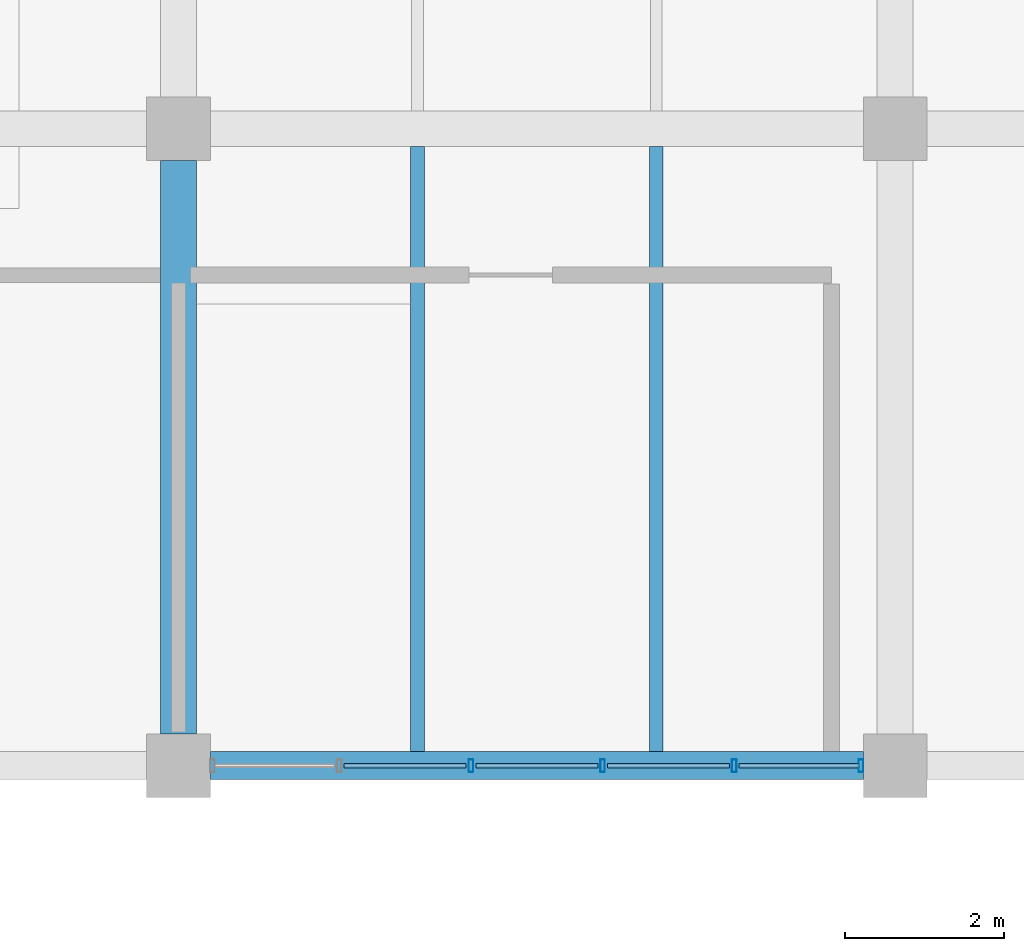
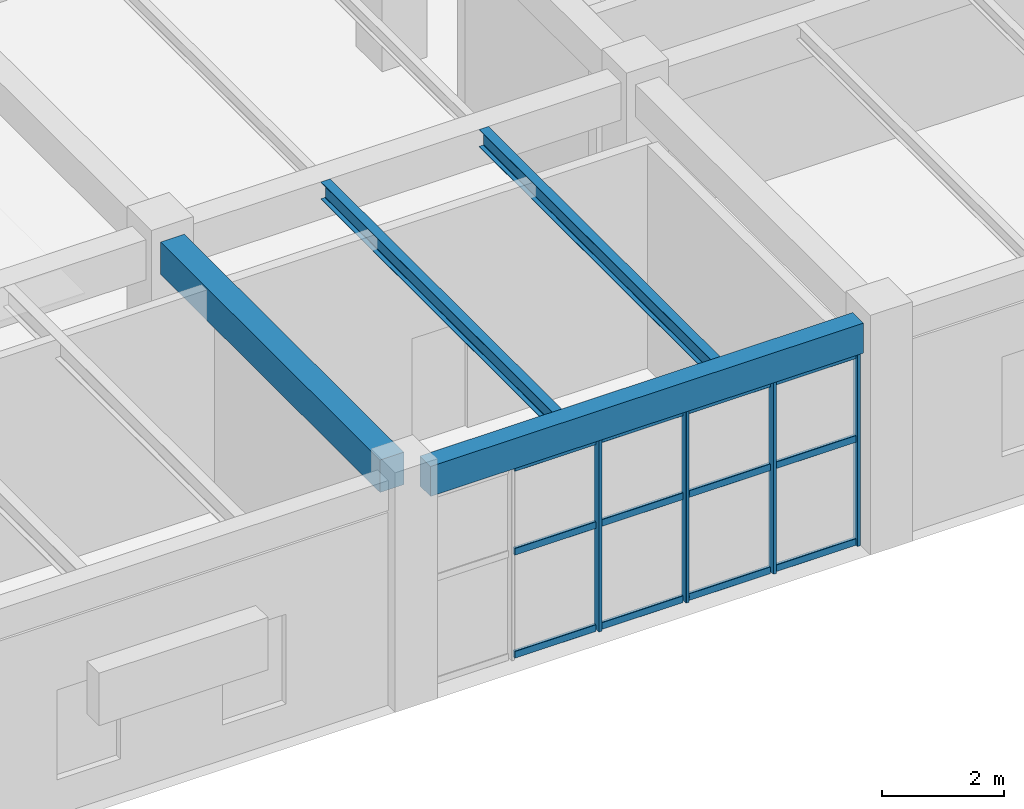
# One storey, part 111 of 178: 16 members, 4 beams, 1 element without a shape of its own.
"""IFC4 building model written with IfcOpenShell, lengths in metres."""

from ifc_helpers import new_model, si_unit, derived_unit, direction, frame, origin, origin_2d, place, context, subcontext, project, spatial, rectangle, hollow_rectangle, i_section, extrude, material, material_profile, profile_set, type_object, element, aggregate, save


model = new_model("IFC4")

# Units and contexts
model_context = context("Model", 3, precision=1e-05, world=origin(), true_north=direction((0.0, 1.0)))
body_context = subcontext(model_context, "Body", "Model", "MODEL_VIEW")
ifc_project = project(units=[si_unit("LENGTHUNIT", "METRE"), si_unit("AREAUNIT", "SQUARE_METRE"), si_unit("VOLUMEUNIT", "CUBIC_METRE"), si_unit("PLANEANGLEUNIT", "RADIAN"), si_unit("MASSUNIT", "GRAM", prefix="KILO"), derived_unit("THERMALTRANSMITTANCEUNIT", [(si_unit("MASSUNIT", "GRAM", prefix="KILO"), 1), (si_unit("TIMEUNIT", "SECOND"), -3), (si_unit("THERMODYNAMICTEMPERATUREUNIT", "KELVIN"), -1)])], contexts=[model_context])

# Site, building, storey
site_placement = place(None, origin())
site = spatial("IfcSite", under=ifc_project, at=site_placement, CompositionType="ELEMENT")
building_placement = place(site_placement, origin())
building = spatial("IfcBuilding", under=site, at=building_placement, Name="Zhenchuan Archway Interchange", CompositionType="ELEMENT")
storey_placement = place(building_placement, frame((0.0, 0.0, 5.39990234375)))
storey = spatial("IfcBuildingStorey", under=building, at=storey_placement, Name="L01", CompositionType="ELEMENT", Elevation=5.39990234375)

# Beam
ifc_material_1 = material(Name="Concrete C40", Category="concrete")
ifc_material_profile_1 = material_profile(ifc_material_1, rectangle(XDim=0.449951171875, YDim=0.64990234375, at=origin_2d()), Name="RC 450x650")
ifc_profile_set_1 = profile_set([ifc_material_profile_1], Name="Concrete C40")
beam_type_1 = type_object("IfcBeamType", Name="BM_RC_450x650", PredefinedType="BEAM", material=ifc_profile_set_1)
beam_1_placement = place(storey_placement, frame((144.0, 8.39990234375, 4.18505859375), z_axis=(0.0, 1.0, 0.0), x_axis=(-1.0, 0.0, 0.0)))
element("IfcBeam", 1, at=beam_1_placement, inside=storey, type_object=beam_type_1, Name="Beam 17:B-C (L01)", PredefinedType="BEAM", context=body_context, shape_type="SweptSolid", body=[
    extrude(rectangle(XDim=0.449951171875, YDim=0.64990234375, at=origin_2d()), origin(), (0.0, 0.0, 1.0), 7.2001953125),
])

# Curtain wall, members
ifc_material_2 = material(Name="Anodised Aluminium", Category="aluminium")
curtain_wall_type = type_object("IfcCurtainWallType", Name="CW_UNIT_3", PredefinedType="NOTDEFINED", material=ifc_material_2)
curtain_wall_placement = place(storey_placement, origin())
curtain_wall = element("IfcCurtainWall", 2, at=curtain_wall_placement, inside=storey, type_object=curtain_wall_type, Name="Unitised curtain wall CW:L01:070", PredefinedType="NOTDEFINED")
ifc_material_profile_2 = material_profile(ifc_material_2, hollow_rectangle(XDim=0.06005859375, YDim=0.159912109375, WallThickness=0.00390625, InnerFilletRadius=0.00390625, OuterFilletRadius=0.008056640625, at=origin_2d()), Name="ALU 160x60x4")
ifc_profile_set_2 = profile_set([ifc_material_profile_2], Name="Anodised Aluminium")
member_type_1 = type_object("IfcMemberType", Name="CW_MUL_150", PredefinedType="MULLION", material=ifc_profile_set_2)
member_1_placement = place(storey_placement, frame((152.572021484375, 8.0, 0.0), z_axis=(0.0, 0.0, 1.0), x_axis=(1.0, 0.0, 0.0)))
member_1 = element("IfcMember", 3, at=member_1_placement, type_object=member_type_1, Name="CW:L01:070 mullion 0", PredefinedType="MULLION", context=body_context, shape_type="SweptSolid", body=[
    extrude(hollow_rectangle(XDim=0.06005859375, YDim=0.159912109375, WallThickness=0.00390625, InnerFilletRadius=0.00390625, OuterFilletRadius=0.008056640625, at=origin_2d()), origin(), (0.0, 0.0, 1.0), 3.880126953125),
])
member_2_placement = place(storey_placement, frame((150.979248046875, 8.0, 0.0), z_axis=(0.0, 0.0, 1.0), x_axis=(1.0, 0.0, 0.0)))
member_2 = element("IfcMember", 4, at=member_2_placement, type_object=member_type_1, Name="CW:L01:070 mullion 1", PredefinedType="MULLION", context=body_context, shape_type="SweptSolid", body=[
    extrude(hollow_rectangle(XDim=0.06005859375, YDim=0.159912109375, WallThickness=0.00390625, InnerFilletRadius=0.00390625, OuterFilletRadius=0.008056640625, at=origin_2d()), origin(), (0.0, 0.0, 1.0), 3.880126953125),
])
member_3_placement = place(storey_placement, frame((149.326416015625, 8.0, 0.0), z_axis=(0.0, 0.0, 1.0), x_axis=(1.0, 0.0, 0.0)))
member_3 = element("IfcMember", 5, at=member_3_placement, type_object=member_type_1, Name="CW:L01:070 mullion 2", PredefinedType="MULLION", context=body_context, shape_type="SweptSolid", body=[
    extrude(hollow_rectangle(XDim=0.06005859375, YDim=0.159912109375, WallThickness=0.00390625, InnerFilletRadius=0.00390625, OuterFilletRadius=0.008056640625, at=origin_2d()), origin(), (0.0, 0.0, 1.0), 3.880126953125),
])
member_4_placement = place(storey_placement, frame((147.673583984375, 8.0, 0.0), z_axis=(0.0, 0.0, 1.0), x_axis=(1.0, 0.0, 0.0)))
member_4 = element("IfcMember", 6, at=member_4_placement, type_object=member_type_1, Name="CW:L01:070 mullion 3", PredefinedType="MULLION", context=body_context, shape_type="SweptSolid", body=[
    extrude(hollow_rectangle(XDim=0.06005859375, YDim=0.159912109375, WallThickness=0.00390625, InnerFilletRadius=0.00390625, OuterFilletRadius=0.008056640625, at=origin_2d()), origin(), (0.0, 0.0, 1.0), 3.880126953125),
])
ifc_material_profile_3 = material_profile(ifc_material_2, hollow_rectangle(XDim=0.06005859375, YDim=0.139892578125, WallThickness=0.00341796875, InnerFilletRadius=0.00341796875, OuterFilletRadius=0.007080078125, at=origin_2d()), Name="ALU 140x60x3.5")
ifc_profile_set_3 = profile_set([ifc_material_profile_3], Name="Anodised Aluminium")
member_type_2 = type_object("IfcMemberType", Name="CW_TRN_140", PredefinedType="USERDEFINED", material=ifc_profile_set_3)
member_5_placement = place(storey_placement, frame((152.552001953125, 8.0, 0.06005859375), z_axis=(-1.0, 0.0, 0.0), x_axis=(0.0, -1.0, 0.0)))
member_5 = element("IfcMember", 7, at=member_5_placement, type_object=member_type_2, Name="CW:L01:070 transom 0-1", ObjectType="TRANSOM", PredefinedType="USERDEFINED", context=body_context, shape_type="SweptSolid", body=[
    extrude(hollow_rectangle(XDim=0.06005859375, YDim=0.139892578125, WallThickness=0.00341796875, InnerFilletRadius=0.00341796875, OuterFilletRadius=0.007080078125, at=origin_2d()), origin(), (0.0, 0.0, 1.0), 1.5126953125),
])
member_6_placement = place(storey_placement, frame((152.552001953125, 8.0, 2.123046875), z_axis=(-1.0, 0.0, 0.0), x_axis=(0.0, -1.0, 0.0)))
member_6 = element("IfcMember", 8, at=member_6_placement, type_object=member_type_2, Name="CW:L01:070 transom 0-2", ObjectType="TRANSOM", PredefinedType="USERDEFINED", context=body_context, shape_type="SweptSolid", body=[
    extrude(hollow_rectangle(XDim=0.06005859375, YDim=0.139892578125, WallThickness=0.00341796875, InnerFilletRadius=0.00341796875, OuterFilletRadius=0.007080078125, at=origin_2d()), origin(), (0.0, 0.0, 1.0), 1.5126953125),
])
member_7_placement = place(storey_placement, frame((152.552001953125, 8.0, 3.800048828125), z_axis=(-1.0, 0.0, 0.0), x_axis=(0.0, -1.0, 0.0)))
member_7 = element("IfcMember", 9, at=member_7_placement, type_object=member_type_2, Name="CW:L01:070 transom 0-3", ObjectType="TRANSOM", PredefinedType="USERDEFINED", context=body_context, shape_type="SweptSolid", body=[
    extrude(hollow_rectangle(XDim=0.06005859375, YDim=0.139892578125, WallThickness=0.00341796875, InnerFilletRadius=0.00341796875, OuterFilletRadius=0.007080078125, at=origin_2d()), origin(), (0.0, 0.0, 1.0), 1.5126953125),
])
member_8_placement = place(storey_placement, frame((150.919189453125, 8.0, 0.06005859375), z_axis=(-1.0, 0.0, 0.0), x_axis=(0.0, -1.0, 0.0)))
member_8 = element("IfcMember", 10, at=member_8_placement, type_object=member_type_2, Name="CW:L01:070 transom 1-1", ObjectType="TRANSOM", PredefinedType="USERDEFINED", context=body_context, shape_type="SweptSolid", body=[
    extrude(hollow_rectangle(XDim=0.06005859375, YDim=0.139892578125, WallThickness=0.00341796875, InnerFilletRadius=0.00341796875, OuterFilletRadius=0.007080078125, at=origin_2d()), origin(), (0.0, 0.0, 1.0), 1.53271484375),
])
member_9_placement = place(storey_placement, frame((150.919189453125, 8.0, 2.123046875), z_axis=(-1.0, 0.0, 0.0), x_axis=(0.0, -1.0, 0.0)))
member_9 = element("IfcMember", 11, at=member_9_placement, type_object=member_type_2, Name="CW:L01:070 transom 1-2", ObjectType="TRANSOM", PredefinedType="USERDEFINED", context=body_context, shape_type="SweptSolid", body=[
    extrude(hollow_rectangle(XDim=0.06005859375, YDim=0.139892578125, WallThickness=0.00341796875, InnerFilletRadius=0.00341796875, OuterFilletRadius=0.007080078125, at=origin_2d()), origin(), (0.0, 0.0, 1.0), 1.53271484375),
])
member_10_placement = place(storey_placement, frame((150.919189453125, 8.0, 3.800048828125), z_axis=(-1.0, 0.0, 0.0), x_axis=(0.0, -1.0, 0.0)))
member_10 = element("IfcMember", 12, at=member_10_placement, type_object=member_type_2, Name="CW:L01:070 transom 1-3", ObjectType="TRANSOM", PredefinedType="USERDEFINED", context=body_context, shape_type="SweptSolid", body=[
    extrude(hollow_rectangle(XDim=0.06005859375, YDim=0.139892578125, WallThickness=0.00341796875, InnerFilletRadius=0.00341796875, OuterFilletRadius=0.007080078125, at=origin_2d()), origin(), (0.0, 0.0, 1.0), 1.53271484375),
])
member_11_placement = place(storey_placement, frame((149.266357421875, 8.0, 0.06005859375), z_axis=(-1.0, 0.0, 0.0), x_axis=(0.0, -1.0, 0.0)))
member_11 = element("IfcMember", 13, at=member_11_placement, type_object=member_type_2, Name="CW:L01:070 transom 2-1", ObjectType="TRANSOM", PredefinedType="USERDEFINED", context=body_context, shape_type="SweptSolid", body=[
    extrude(hollow_rectangle(XDim=0.06005859375, YDim=0.139892578125, WallThickness=0.00341796875, InnerFilletRadius=0.00341796875, OuterFilletRadius=0.007080078125, at=origin_2d()), origin(), (0.0, 0.0, 1.0), 1.53271484375),
])
member_12_placement = place(storey_placement, frame((149.266357421875, 8.0, 2.123046875), z_axis=(-1.0, 0.0, 0.0), x_axis=(0.0, -1.0, 0.0)))
member_12 = element("IfcMember", 14, at=member_12_placement, type_object=member_type_2, Name="CW:L01:070 transom 2-2", ObjectType="TRANSOM", PredefinedType="USERDEFINED", context=body_context, shape_type="SweptSolid", body=[
    extrude(hollow_rectangle(XDim=0.06005859375, YDim=0.139892578125, WallThickness=0.00341796875, InnerFilletRadius=0.00341796875, OuterFilletRadius=0.007080078125, at=origin_2d()), origin(), (0.0, 0.0, 1.0), 1.53271484375),
])
member_13_placement = place(storey_placement, frame((149.266357421875, 8.0, 3.800048828125), z_axis=(-1.0, 0.0, 0.0), x_axis=(0.0, -1.0, 0.0)))
member_13 = element("IfcMember", 15, at=member_13_placement, type_object=member_type_2, Name="CW:L01:070 transom 2-3", ObjectType="TRANSOM", PredefinedType="USERDEFINED", context=body_context, shape_type="SweptSolid", body=[
    extrude(hollow_rectangle(XDim=0.06005859375, YDim=0.139892578125, WallThickness=0.00341796875, InnerFilletRadius=0.00341796875, OuterFilletRadius=0.007080078125, at=origin_2d()), origin(), (0.0, 0.0, 1.0), 1.53271484375),
])
member_14_placement = place(storey_placement, frame((147.613525390625, 8.0, 0.06005859375), z_axis=(-1.0, 0.0, 0.0), x_axis=(0.0, -1.0, 0.0)))
member_14 = element("IfcMember", 16, at=member_14_placement, type_object=member_type_2, Name="CW:L01:070 transom 3-1", ObjectType="TRANSOM", PredefinedType="USERDEFINED", context=body_context, shape_type="SweptSolid", body=[
    extrude(hollow_rectangle(XDim=0.06005859375, YDim=0.139892578125, WallThickness=0.00341796875, InnerFilletRadius=0.00341796875, OuterFilletRadius=0.007080078125, at=origin_2d()), origin(), (0.0, 0.0, 1.0), 1.53271484375),
])
member_15_placement = place(storey_placement, frame((147.613525390625, 8.0, 2.123046875), z_axis=(-1.0, 0.0, 0.0), x_axis=(0.0, -1.0, 0.0)))
member_15 = element("IfcMember", 17, at=member_15_placement, type_object=member_type_2, Name="CW:L01:070 transom 3-2", ObjectType="TRANSOM", PredefinedType="USERDEFINED", context=body_context, shape_type="SweptSolid", body=[
    extrude(hollow_rectangle(XDim=0.06005859375, YDim=0.139892578125, WallThickness=0.00341796875, InnerFilletRadius=0.00341796875, OuterFilletRadius=0.007080078125, at=origin_2d()), origin(), (0.0, 0.0, 1.0), 1.53271484375),
])
member_16_placement = place(storey_placement, frame((147.613525390625, 8.0, 3.800048828125), z_axis=(-1.0, 0.0, 0.0), x_axis=(0.0, -1.0, 0.0)))
member_16 = element("IfcMember", 18, at=member_16_placement, type_object=member_type_2, Name="CW:L01:070 transom 3-3", ObjectType="TRANSOM", PredefinedType="USERDEFINED", context=body_context, shape_type="SweptSolid", body=[
    extrude(hollow_rectangle(XDim=0.06005859375, YDim=0.139892578125, WallThickness=0.00341796875, InnerFilletRadius=0.00341796875, OuterFilletRadius=0.007080078125, at=origin_2d()), origin(), (0.0, 0.0, 1.0), 1.53271484375),
])
aggregate(curtain_wall, [member_1, member_2, member_3, member_4, member_5, member_6, member_7, member_8, member_9, member_10, member_11, member_12, member_13, member_14, member_15, member_16])

# Beams
ifc_material_3 = material(Name="Steel Q355", Category="steel")
ifc_material_profile_4 = material_profile(ifc_material_3, i_section(OverallWidth=0.175048828125, OverallDepth=0.35009765625, WebThickness=0.007080078125, FlangeThickness=0.010986328125, FilletRadius=0.013916015625, at=origin_2d()), Name="HN 350x175")
ifc_profile_set_4 = profile_set([ifc_material_profile_4], Name="Steel Q355")
beam_type_2 = type_object("IfcBeamType", Name="JST_STL_HN350", PredefinedType="JOIST", material=ifc_profile_set_4)
for number, where, z_axis, x_axis, name in (
    (19, (147.0, 8.175048828125, 4.335205078125), (0.0, 1.0, 0.0), (-1.0, 0.0, 0.0), "Secondary joist 17-18/B-C #1 (L01)"),
    (20, (150.0, 8.175048828125, 4.335205078125), (0.0, 1.0, 0.0), (-1.0, 0.0, 0.0), "Secondary joist 17-18/B-C #2 (L01)"),
):
    element("IfcBeam", number, at=place(storey_placement, frame(where, z_axis=z_axis, x_axis=x_axis)), inside=storey, type_object=beam_type_2, Name=name, PredefinedType="JOIST", context=body_context, shape_type="SweptSolid", body=[
        extrude(i_section(OverallWidth=0.175048828125, OverallDepth=0.35009765625, WebThickness=0.007080078125, FlangeThickness=0.010986328125, FilletRadius=0.013916015625, at=origin_2d()), origin(), (0.0, 0.0, 1.0), 7.599853515625),
    ])
ifc_material_profile_5 = material_profile(ifc_material_1, rectangle(XDim=0.35009765625, YDim=0.60009765625, at=origin_2d()), Name="RC 350x600")
ifc_profile_set_5 = profile_set([ifc_material_profile_5], Name="Concrete C40")
beam_type_3 = type_object("IfcBeamType", Name="SP_RC_350x600", PredefinedType="SPANDREL", material=ifc_profile_set_5)
beam_2_placement = place(storey_placement, frame((144.39990234375, 8.0, 4.210205078125), z_axis=(1.0, 0.0, 0.0), x_axis=(0.0, 1.0, 0.0)))
element("IfcBeam", 21, at=beam_2_placement, inside=storey, type_object=beam_type_3, Name="Beam B:17-18 (L01)", PredefinedType="SPANDREL", context=body_context, shape_type="SweptSolid", body=[
    extrude(rectangle(XDim=0.35009765625, YDim=0.60009765625, at=origin_2d()), origin(), (0.0, 0.0, 1.0), 8.2001953125),
])

save(model, "model.ifc")
